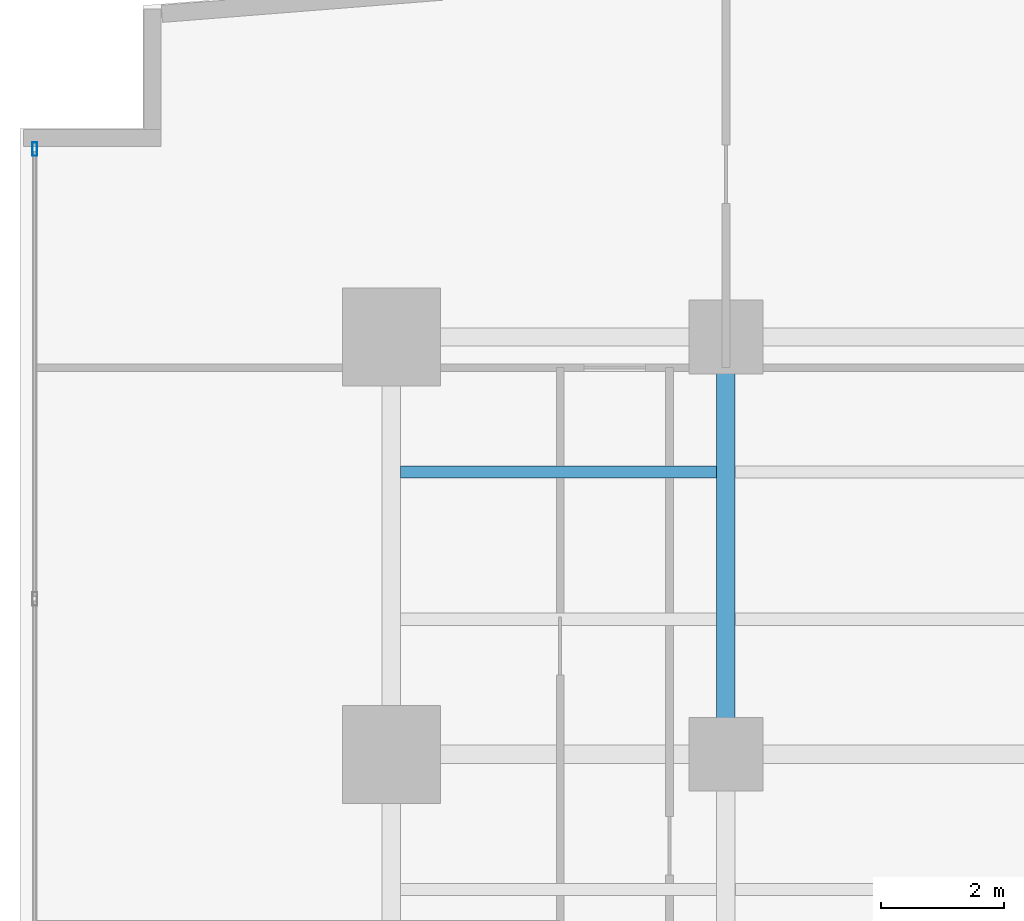
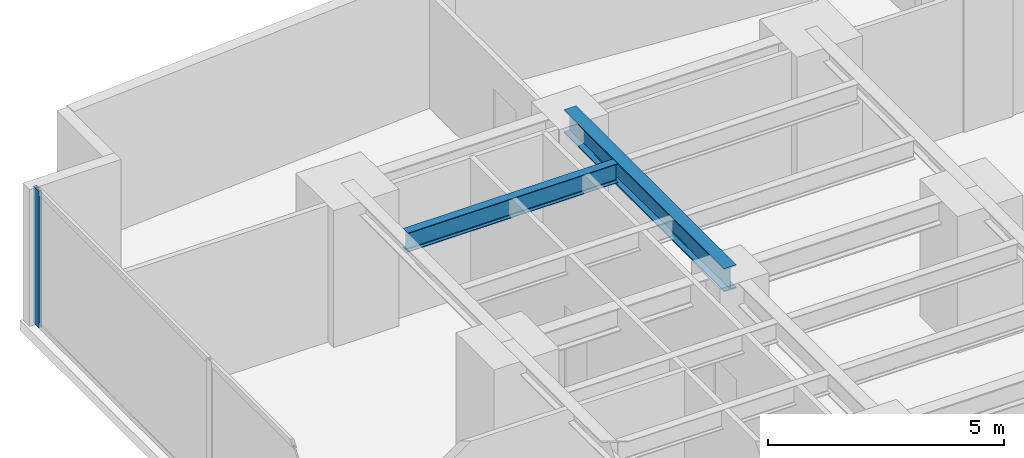
# One storey, part 17 of 29: 2 beams, 1 member, 1 element without a shape of its own.
"""IFC4 building model written with IfcOpenShell, lengths in metres."""

from ifc_helpers import new_model, si_unit, direction, frame, origin, origin_with_axes, origin_2d, place, context, subcontext, project, spatial, hollow_rectangle, i_section, extrude, source, transform, mapped, material, layer, layer_set, material_profile, profile_set, type_object, element, aggregate, save


model = new_model("IFC4")

# Units and contexts
model_context = context("Model", 3, precision=1e-05, world=origin(), true_north=direction((0.0, 1.0)))
body_context = subcontext(model_context, "Body", "Model", "MODEL_VIEW")
ifc_project = project(units=[si_unit("LENGTHUNIT", "METRE"), si_unit("AREAUNIT", "SQUARE_METRE"), si_unit("VOLUMEUNIT", "CUBIC_METRE"), si_unit("PLANEANGLEUNIT", "RADIAN"), si_unit("MASSUNIT", "GRAM", prefix="KILO")], contexts=[model_context])

# Site, building, storey
site_placement = place(None, origin())
site = spatial("IfcSite", under=ifc_project, at=site_placement, CompositionType="ELEMENT")
building_placement = place(site_placement, origin())
building = spatial("IfcBuilding", under=site, at=building_placement, Name="Kolvaren Waterfront Exchange", CompositionType="ELEMENT")
storey_placement = place(building_placement, frame((0.0, 0.0, 37.199951171875)))
storey = spatial("IfcBuildingStorey", under=building, at=storey_placement, Name="L09", CompositionType="ELEMENT", Elevation=37.199951171875)

# Beams
ifc_material_1 = material(Name="Steel S355", Category="steel")
ifc_material_profile_1 = material_profile(ifc_material_1, i_section(OverallWidth=0.300048828125, OverallDepth=0.60009765625, WebThickness=0.015380859375, FlangeThickness=0.030029296875, FilletRadius=0.027099609375, at=origin_2d()), Name="HEB600")
ifc_profile_set_1 = profile_set([ifc_material_profile_1], Name="Steel S355")
beam_type_1 = type_object("IfcBeamType", Name="STR-BM-HEB600", PredefinedType="BEAM", material=ifc_profile_set_1)
beam_1_placement = place(storey_placement, frame((12.89990234375, 37.800048828125, 3.239990234375), z_axis=(0.0, 1.0, 0.0), x_axis=(-1.0, 0.0, 0.0)))
element("IfcBeam", 1, at=beam_1_placement, inside=storey, type_object=beam_type_1, Name="L09 north-arm edge beam 3", PredefinedType="BEAM", context=body_context, shape_type="SweptSolid", body=[
    extrude(i_section(OverallWidth=0.300048828125, OverallDepth=0.60009765625, WebThickness=0.015380859375, FlangeThickness=0.030029296875, FilletRadius=0.027099609375, at=origin_2d()), origin(), (0.0, 0.0, 1.0), 6.800048828125),
])
ifc_material_profile_2 = material_profile(ifc_material_1, i_section(OverallWidth=0.199951171875, OverallDepth=0.5, WebThickness=0.01025390625, FlangeThickness=0.01611328125, FilletRadius=0.02099609375, at=origin_2d()), Name="IPE500")
ifc_profile_set_2 = profile_set([ifc_material_profile_2], Name="Steel S355")
beam_type_2 = type_object("IfcBeamType", Name="STR-BM-IPE500", PredefinedType="JOIST", material=ifc_profile_set_2)
beam_2_placement = place(storey_placement, frame((7.60205078125, 42.39990234375, 3.2900390625), z_axis=(1.0, 0.0, 0.0), x_axis=(0.0, 1.0, 0.0)))
element("IfcBeam", 2, at=beam_2_placement, inside=storey, type_object=beam_type_2, Name="L09 north-arm composite joist 6A", PredefinedType="JOIST", context=body_context, shape_type="SweptSolid", body=[
    extrude(i_section(OverallWidth=0.199951171875, OverallDepth=0.5, WebThickness=0.01025390625, FlangeThickness=0.01611328125, FilletRadius=0.02099609375, at=origin_2d()), origin(), (0.0, 0.0, 1.0), 5.14599609375),
])

# Curtain wall, member
ifc_material_2 = material(Name="Anodised aluminium 6063-T6", Category="aluminium")
ifc_layer = layer(ifc_material_2, 0.219970703125, Name="Anodised aluminium 6063-T6")
ifc_layer_set = layer_set([ifc_layer], Name="Anodised aluminium 6063-T6")
curtain_wall_type = type_object("IfcCurtainWallType", Name="ARC-CW-SYS2", PredefinedType="USERDEFINED", material=ifc_layer_set)
curtain_wall_placement = place(storey_placement, origin())
curtain_wall = element("IfcCurtainWall", 3, at=curtain_wall_placement, inside=storey, type_object=curtain_wall_type, Name="L09 stick curtain wall CW2 (CW-L09-W)", ObjectType="STICK CURTAIN WALL", PredefinedType="USERDEFINED")
ifc_material_profile_3 = material_profile(ifc_material_2, hollow_rectangle(XDim=0.080078125, YDim=0.219970703125, WallThickness=0.0048828125, at=origin_2d()), Name="ALU-MUL-220x80x5")
ifc_profile_set_3 = profile_set([ifc_material_profile_3], Name="Anodised aluminium 6063-T6")
member_type = type_object("IfcMemberType", Name="ARC-CWM-220", PredefinedType="MULLION", material=ifc_profile_set_3)
shared_shape = source(origin_with_axes(), body_context, "Body", "SweptSolid", [
    extrude(hollow_rectangle(XDim=0.080078125, YDim=0.219970703125, WallThickness=0.0048828125, at=origin_2d()), origin(), (0.0, 0.0, 1.0), 3.5400390625),
])
member_placement = place(storey_placement, frame((1.639892578125, 47.659912109375, 0.0), z_axis=(0.0, 0.0, 1.0), x_axis=(-1.0, 0.0, 0.0)))
member = element("IfcMember", 4, at=member_placement, type_object=member_type, Name="CW2 mullion 7", PredefinedType="MULLION", context=body_context, shape_type="MappedRepresentation", body=[
    mapped(shared_shape, transform((0.0, 0.0, 0.0), x_axis=(1.0, 0.0, 0.0), y_axis=(0.0, 1.0, 0.0), z_axis=(0.0, 0.0, 1.0), scale=1.0)),
])
aggregate(curtain_wall, [member])

save(model, "model.ifc")
